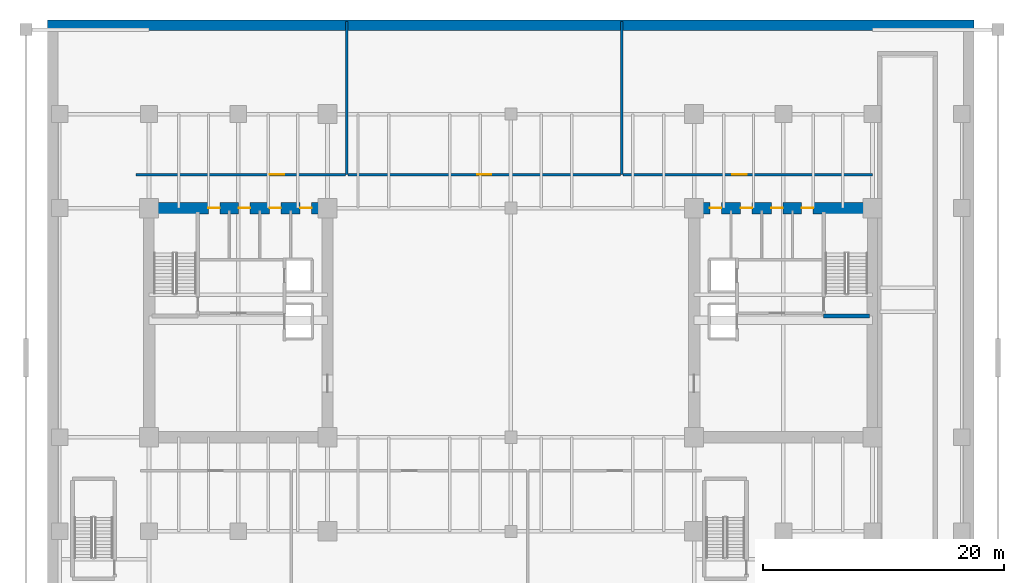
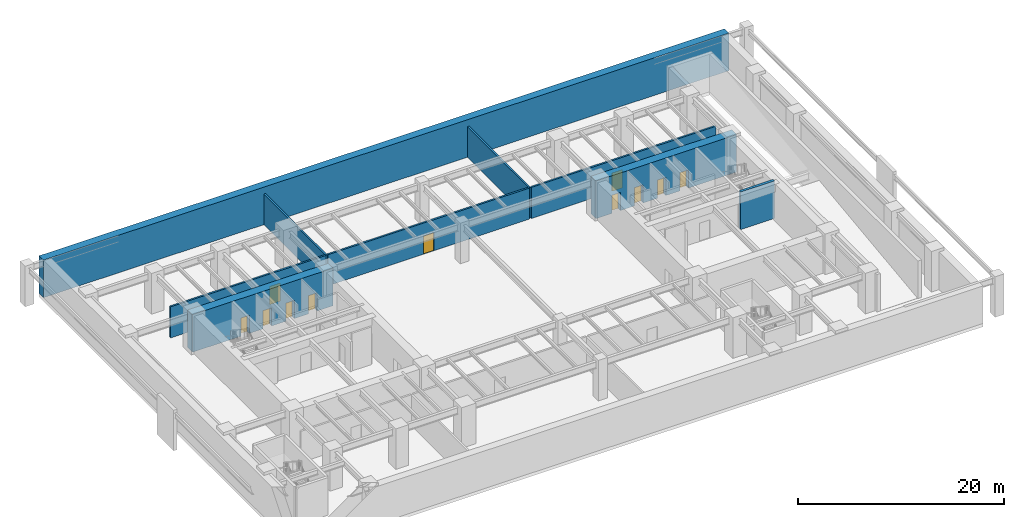
# One storey, part 4 of 7: 11 doors, 9 walls, 11 openings.
"""IFC4 building model written with IfcOpenShell, lengths in metres."""

from ifc_helpers import new_model, si_unit, direction, frame, frame_2d, origin, place, context, subcontext, project, spatial, rectangle, extrude, source, transform, mapped, material, layer, layer_set, type_object, type_shapes, element, fill, save


model = new_model("IFC4")

# Units and contexts
model_context = context("Model", 3, precision=1e-05, world=origin(), true_north=direction((0.0, 1.0)))
body_context = subcontext(model_context, "Body", "Model", "MODEL_VIEW")
ifc_project = project(units=[si_unit("LENGTHUNIT", "METRE"), si_unit("AREAUNIT", "SQUARE_METRE"), si_unit("VOLUMEUNIT", "CUBIC_METRE"), si_unit("PLANEANGLEUNIT", "RADIAN"), si_unit("MASSUNIT", "GRAM", prefix="KILO")], contexts=[model_context])

# Site, building, storey
site_placement = place(None, origin())
site = spatial("IfcSite", under=ifc_project, at=site_placement, CompositionType="ELEMENT")
building_placement = place(site_placement, origin())
building = spatial("IfcBuilding", under=site, at=building_placement, Name="Haelvirn Gate Laboratories", CompositionType="ELEMENT")
storey_placement = place(building_placement, frame((0.0, 0.0, -4.800048828125)))
storey = spatial("IfcBuildingStorey", under=building, at=storey_placement, Name="B1", CompositionType="ELEMENT", Elevation=-4.800048828125)

# Wall, opening, door
ifc_material_1 = material(Name="Concrete C40/50", Category="concrete")
ifc_layer_1 = layer(ifc_material_1, 0.199951171875, Name="IW-SHAFT-200")
ifc_layer_set_1 = layer_set([ifc_layer_1], Name="Concrete C40/50")
wall_type_1 = type_object("IfcWallType", Name="IW-SHAFT-200", PredefinedType="SOLIDWALL", material=ifc_layer_set_1)
wall_1_placement = place(storey_placement, frame((6.300048828125, 36.580078125, 0.0), z_axis=(0.0, 0.0, 1.0), x_axis=(1.0, 0.0, 0.0)))
wall_1 = element("IfcWall", 1, at=wall_1_placement, inside=storey, type_object=wall_type_1, Name="B1 Interior Wall IW-B1-PNW-1", PredefinedType="SOLIDWALL", context=body_context, shape_type="SweptSolid", body=[
    extrude(rectangle(XDim=17.39990234375, YDim=0.199951171875, at=frame_2d((8.699951171875, 0.0))), origin(), (0.0, 0.0, 1.0), 3.68505859375),
])
opening_1_placement = place(wall_1_placement, frame((11.128662109375, 0.0, 0.0)))
opening_1 = element("IfcOpeningElement", 2, at=opening_1_placement, cuts=wall_1, Name="Opening FD2", PredefinedType="OPENING", context=body_context, shape_type="SweptSolid", body=[
    extrude(rectangle(XDim=1.199951171875, YDim=2.159912109375, at=frame_2d((0.60009765625, 1.080078125))), frame((0.0, 0.10986328125, 0.0), z_axis=(0.0, -1.0, 0.0), x_axis=(1.0, 0.0, 0.0)), (0.0, 0.0, 1.0), 0.219970703125),
])
ifc_material_2 = material(Name="Fire-rated steel SM355 compartment door", Category="steel")
door_type_1 = type_object("IfcDoorType", Name="DR-FD-1200", OperationType="NOTDEFINED", PredefinedType="DOOR", material=ifc_material_2)
shared_shape_1 = source(origin(), body_context, "Body", "SweptSolid", [
    extrude(rectangle(XDim=1.199951171875, YDim=2.159912109375, at=frame_2d((0.60009765625, 1.080078125))), frame((0.0, 0.02490234375, 0.0), z_axis=(0.0, -1.0, 0.0), x_axis=(1.0, 0.0, 0.0)), (0.0, 0.0, 1.0), 0.050048828125),
])
type_shapes(door_type_1, [shared_shape_1])
door_1_placement = place(opening_1_placement, origin())
door_1 = element("IfcDoor", 3, at=door_1_placement, inside=storey, type_object=door_type_1, Name="B1 District Heating & Cooling Exchange Fire Door", OperationType="SINGLE_SWING_RIGHT", OverallHeight=2.159912109375, OverallWidth=1.199951171875, PredefinedType="DOOR", context=body_context, shape_type="MappedRepresentation", body=[
    mapped(shared_shape_1, transform((0.0, 0.0, 0.0), scale=1.0)),
])
fill(opening_1, door_1)

# Wall
wall_2_placement = place(storey_placement, frame((23.800048828125, 36.580078125, 0.0), z_axis=(0.0, 0.0, 1.0), x_axis=(0.0, 1.0, 0.0)))
element("IfcWall", 4, at=wall_2_placement, inside=storey, type_object=wall_type_1, Name="B1 Interior Wall IW-B1-PNDIV-1", PredefinedType="SOLIDWALL", context=body_context, shape_type="SweptSolid", body=[
    extrude(rectangle(XDim=12.7099609375, YDim=0.199951171875, at=frame_2d((6.35498046875, 0.0))), origin(), (0.0, 0.0, 1.0), 3.635009765625),
])

# Wall, opening, door
wall_3_placement = place(storey_placement, frame((23.89990234375, 36.580078125, 0.0), z_axis=(0.0, 0.0, 1.0), x_axis=(1.0, 0.0, 0.0)))
wall_3 = element("IfcWall", 5, at=wall_3_placement, inside=storey, type_object=wall_type_1, Name="B1 Interior Wall IW-B1-PNW-2", PredefinedType="SOLIDWALL", context=body_context, shape_type="SweptSolid", body=[
    extrude(rectangle(XDim=22.60009765625, YDim=0.199951171875, at=frame_2d((11.300048828125, 0.0))), origin(), (0.0, 0.0, 1.0), 3.68505859375),
])
opening_2_placement = place(wall_3_placement, frame((10.699951171875, 0.0, 0.0)))
opening_2 = element("IfcOpeningElement", 6, at=opening_2_placement, cuts=wall_3, Name="Opening FD2", PredefinedType="OPENING", context=body_context, shape_type="SweptSolid", body=[
    extrude(rectangle(XDim=1.199951171875, YDim=2.159912109375, at=frame_2d((0.60009765625, 1.080078125))), frame((0.0, 0.10986328125, 0.0), z_axis=(0.0, -1.0, 0.0), x_axis=(1.0, 0.0, 0.0)), (0.0, 0.0, 1.0), 0.219970703125),
])
door_2_placement = place(opening_2_placement, origin())
door_2 = element("IfcDoor", 7, at=door_2_placement, inside=storey, type_object=door_type_1, Name="B1 UPS Battery Room Fire Door", OperationType="SINGLE_SWING_LEFT", OverallHeight=2.159912109375, OverallWidth=1.199951171875, PredefinedType="DOOR", context=body_context, shape_type="MappedRepresentation", body=[
    mapped(shared_shape_1, transform((0.0, 0.0, 0.0), scale=1.0)),
])
fill(opening_2, door_2)

# Wall
wall_4_placement = place(storey_placement, frame((46.60009765625, 36.580078125, 0.0), z_axis=(0.0, 0.0, 1.0), x_axis=(0.0, 1.0, 0.0)))
element("IfcWall", 8, at=wall_4_placement, inside=storey, type_object=wall_type_1, Name="B1 Interior Wall IW-B1-PNDIV-2", PredefinedType="SOLIDWALL", context=body_context, shape_type="SweptSolid", body=[
    extrude(rectangle(XDim=12.7099609375, YDim=0.199951171875, at=frame_2d((6.35498046875, 0.0))), origin(), (0.0, 0.0, 1.0), 3.635009765625),
])

# Wall, opening, door
wall_5_placement = place(storey_placement, frame((46.699951171875, 36.580078125, 0.0), z_axis=(0.0, 0.0, 1.0), x_axis=(1.0, 0.0, 0.0)))
wall_5 = element("IfcWall", 9, at=wall_5_placement, inside=storey, type_object=wall_type_1, Name="B1 Interior Wall IW-B1-PNW-3", PredefinedType="SOLIDWALL", context=body_context, shape_type="SweptSolid", body=[
    extrude(rectangle(XDim=20.699951171875, YDim=0.199951171875, at=frame_2d((10.35009765625, 0.0))), origin(), (0.0, 0.0, 1.0), 3.68505859375),
])
opening_3_placement = place(wall_5_placement, frame((9.06884765625, 0.0, 0.0)))
opening_3 = element("IfcOpeningElement", 10, at=opening_3_placement, cuts=wall_5, Name="Opening FD2", PredefinedType="OPENING", context=body_context, shape_type="SweptSolid", body=[
    extrude(rectangle(XDim=1.199951171875, YDim=2.159912109375, at=frame_2d((0.60009765625, 1.080078125))), frame((0.0, 0.10986328125, 0.0), z_axis=(0.0, -1.0, 0.0), x_axis=(1.0, 0.0, 0.0)), (0.0, 0.0, 1.0), 0.219970703125),
])
door_3_placement = place(opening_3_placement, origin())
door_3 = element("IfcDoor", 11, at=door_3_placement, inside=storey, type_object=door_type_1, Name="B1 Campus Telecom Meet-Me Room Fire Door", OperationType="SINGLE_SWING_RIGHT", OverallHeight=2.159912109375, OverallWidth=1.199951171875, PredefinedType="DOOR", context=body_context, shape_type="MappedRepresentation", body=[
    mapped(shared_shape_1, transform((0.0, 0.0, 0.0), scale=1.0)),
])
fill(opening_3, door_3)

# Wall, openings, doors
ifc_material_3 = material(Name="Concrete C70/85", Category="concrete")
ifc_layer_2 = layer(ifc_material_3, 0.949951171875, Name="SW-CORE-950")
ifc_layer_set_2 = layer_set([ifc_layer_2], Name="Concrete C70/85")
wall_type_2 = type_object("IfcWallType", Name="SW-CORE-950", PredefinedType="SHEAR", material=ifc_layer_set_2)
wall_6_placement = place(storey_placement, frame((6.925048828125, 33.800048828125, 0.0), z_axis=(0.0, 0.0, 1.0), x_axis=(1.0, 0.0, 0.0)))
wall_6 = element("IfcWall", 12, at=wall_6_placement, inside=storey, type_object=wall_type_2, Name="B1 W Core Shear Wall N", PredefinedType="SHEAR", context=body_context, shape_type="SweptSolid", body=[
    extrude(rectangle(XDim=15.75, YDim=0.949951171875, at=frame_2d((7.875, 0.0))), origin(), (0.0, 0.0, 1.0), 4.449951171875),
])
opening_4_placement = place(wall_6_placement, frame((5.39990234375, 0.0, 0.0)))
opening_4 = element("IfcOpeningElement", 13, at=opening_4_placement, cuts=wall_6, Name="Opening FD4", PredefinedType="OPENING", context=body_context, shape_type="SweptSolid", body=[
    extrude(rectangle(XDim=0.949951171875, YDim=2.14990234375, at=frame_2d((0.47509765625, 1.074951171875))), frame((0.0, 0.48486328125, 0.0), z_axis=(0.0, -1.0, 0.0), x_axis=(1.0, 0.0, 0.0)), (0.0, 0.0, 1.0), 0.969970703125),
])
opening_5_placement = place(wall_6_placement, frame((7.9150390625, 0.0, 0.0)))
opening_5 = element("IfcOpeningElement", 14, at=opening_5_placement, cuts=wall_6, Name="Opening FD4", PredefinedType="OPENING", context=body_context, shape_type="SweptSolid", body=[
    extrude(rectangle(XDim=0.949951171875, YDim=2.14990234375, at=frame_2d((0.47509765625, 1.074951171875))), frame((0.0, 0.48486328125, 0.0), z_axis=(0.0, -1.0, 0.0), x_axis=(1.0, 0.0, 0.0)), (0.0, 0.0, 1.0), 0.969970703125),
])
opening_6_placement = place(wall_6_placement, frame((10.465087890625, 0.0, 0.0)))
opening_6 = element("IfcOpeningElement", 15, at=opening_6_placement, cuts=wall_6, Name="Opening FD4", PredefinedType="OPENING", context=body_context, shape_type="SweptSolid", body=[
    extrude(rectangle(XDim=0.949951171875, YDim=2.14990234375, at=frame_2d((0.47509765625, 1.074951171875))), frame((0.0, 0.48486328125, 0.0), z_axis=(0.0, -1.0, 0.0), x_axis=(1.0, 0.0, 0.0)), (0.0, 0.0, 1.0), 0.969970703125),
])
opening_7_placement = place(wall_6_placement, frame((13.014892578125, 0.0, 0.0)))
opening_7 = element("IfcOpeningElement", 16, at=opening_7_placement, cuts=wall_6, Name="Opening FD4", PredefinedType="OPENING", context=body_context, shape_type="SweptSolid", body=[
    extrude(rectangle(XDim=0.949951171875, YDim=2.14990234375, at=frame_2d((0.47509765625, 1.074951171875))), frame((0.0, 0.48486328125, 0.0), z_axis=(0.0, -1.0, 0.0), x_axis=(1.0, 0.0, 0.0)), (0.0, 0.0, 1.0), 0.969970703125),
])
ifc_material_4 = material(Name="Fire-rated steel SM355 core service door", Category="steel")
door_type_2 = type_object("IfcDoorType", Name="DR-FD-950", OperationType="NOTDEFINED", PredefinedType="DOOR", material=ifc_material_4)
shared_shape_2 = source(origin(), body_context, "Body", "SweptSolid", [
    extrude(rectangle(XDim=0.949951171875, YDim=2.14990234375, at=frame_2d((0.47509765625, 1.074951171875))), frame((0.0, 0.02490234375, 0.0), z_axis=(0.0, -1.0, 0.0), x_axis=(1.0, 0.0, 0.0)), (0.0, 0.0, 1.0), 0.050048828125),
])
type_shapes(door_type_2, [shared_shape_2])
door_4_placement = place(opening_4_placement, origin())
door_4 = element("IfcDoor", 17, at=door_4_placement, inside=storey, type_object=door_type_2, Name="B1 Male Restroom Fire Door", OperationType="SINGLE_SWING_LEFT", OverallHeight=2.14990234375, OverallWidth=0.949951171875, PredefinedType="DOOR", context=body_context, shape_type="MappedRepresentation", body=[
    mapped(shared_shape_2, transform((0.0, 0.0, 0.0), scale=1.0)),
])
fill(opening_4, door_4)
door_5_placement = place(opening_5_placement, origin())
door_5 = element("IfcDoor", 18, at=door_5_placement, inside=storey, type_object=door_type_2, Name="B1 Female Restroom Fire Door", OperationType="SINGLE_SWING_RIGHT", OverallHeight=2.14990234375, OverallWidth=0.949951171875, PredefinedType="DOOR", context=body_context, shape_type="MappedRepresentation", body=[
    mapped(shared_shape_2, transform((0.0, 0.0, 0.0), scale=1.0)),
])
fill(opening_5, door_5)
door_6_placement = place(opening_6_placement, origin())
door_6 = element("IfcDoor", 19, at=door_6_placement, inside=storey, type_object=door_type_2, Name="B1 Accessible Restroom Fire Door", OperationType="SINGLE_SWING_LEFT", OverallHeight=2.14990234375, OverallWidth=0.949951171875, PredefinedType="DOOR", context=body_context, shape_type="MappedRepresentation", body=[
    mapped(shared_shape_2, transform((0.0, 0.0, 0.0), scale=1.0)),
])
fill(opening_6, door_6)
door_7_placement = place(opening_7_placement, origin())
door_7 = element("IfcDoor", 20, at=door_7_placement, inside=storey, type_object=door_type_2, Name="B1 Decontamination Shower Washroom Fire Door", OperationType="SINGLE_SWING_RIGHT", OverallHeight=2.14990234375, OverallWidth=0.949951171875, PredefinedType="DOOR", context=body_context, shape_type="MappedRepresentation", body=[
    mapped(shared_shape_2, transform((0.0, 0.0, 0.0), scale=1.0)),
])
fill(opening_7, door_7)

wall_7_placement = place(storey_placement, frame((52.125, 33.800048828125, 0.0), z_axis=(0.0, 0.0, 1.0), x_axis=(1.0, 0.0, 0.0)))
wall_7 = element("IfcWall", 21, at=wall_7_placement, inside=storey, type_object=wall_type_2, Name="B1 E Core Shear Wall N", PredefinedType="SHEAR", context=body_context, shape_type="SweptSolid", body=[
    extrude(rectangle(XDim=15.75, YDim=0.949951171875, at=frame_2d((7.875, 0.0))), origin(), (0.0, 0.0, 1.0), 4.449951171875),
])
opening_8_placement = place(wall_7_placement, frame((9.39990234375, 0.0, 0.0)))
opening_8 = element("IfcOpeningElement", 22, at=opening_8_placement, cuts=wall_7, Name="Opening FD4", PredefinedType="OPENING", context=body_context, shape_type="SweptSolid", body=[
    extrude(rectangle(XDim=0.949951171875, YDim=2.14990234375, at=frame_2d((0.47509765625, 1.074951171875))), frame((0.0, 0.48486328125, 0.0), z_axis=(0.0, -1.0, 0.0), x_axis=(1.0, 0.0, 0.0)), (0.0, 0.0, 1.0), 0.969970703125),
])
opening_9_placement = place(wall_7_placement, frame((6.885009765625, 0.0, 0.0)))
opening_9 = element("IfcOpeningElement", 23, at=opening_9_placement, cuts=wall_7, Name="Opening FD4", PredefinedType="OPENING", context=body_context, shape_type="SweptSolid", body=[
    extrude(rectangle(XDim=0.949951171875, YDim=2.14990234375, at=frame_2d((0.47509765625, 1.074951171875))), frame((0.0, 0.48486328125, 0.0), z_axis=(0.0, -1.0, 0.0), x_axis=(1.0, 0.0, 0.0)), (0.0, 0.0, 1.0), 0.969970703125),
])
opening_10_placement = place(wall_7_placement, frame((4.3349609375, 0.0, 0.0)))
opening_10 = element("IfcOpeningElement", 24, at=opening_10_placement, cuts=wall_7, Name="Opening FD4", PredefinedType="OPENING", context=body_context, shape_type="SweptSolid", body=[
    extrude(rectangle(XDim=0.949951171875, YDim=2.14990234375, at=frame_2d((0.47509765625, 1.074951171875))), frame((0.0, 0.48486328125, 0.0), z_axis=(0.0, -1.0, 0.0), x_axis=(1.0, 0.0, 0.0)), (0.0, 0.0, 1.0), 0.969970703125),
])
opening_11_placement = place(wall_7_placement, frame((1.784912109375, 0.0, 0.0)))
opening_11 = element("IfcOpeningElement", 25, at=opening_11_placement, cuts=wall_7, Name="Opening FD4", PredefinedType="OPENING", context=body_context, shape_type="SweptSolid", body=[
    extrude(rectangle(XDim=0.949951171875, YDim=2.14990234375, at=frame_2d((0.47509765625, 1.074951171875))), frame((0.0, 0.48486328125, 0.0), z_axis=(0.0, -1.0, 0.0), x_axis=(1.0, 0.0, 0.0)), (0.0, 0.0, 1.0), 0.969970703125),
])
door_8_placement = place(opening_8_placement, origin())
door_8 = element("IfcDoor", 26, at=door_8_placement, inside=storey, type_object=door_type_2, Name="B1 Male Restroom Fire Door", OperationType="SINGLE_SWING_LEFT", OverallHeight=2.14990234375, OverallWidth=0.949951171875, PredefinedType="DOOR", context=body_context, shape_type="MappedRepresentation", body=[
    mapped(shared_shape_2, transform((0.0, 0.0, 0.0), scale=1.0)),
])
fill(opening_8, door_8)
door_9_placement = place(opening_9_placement, origin())
door_9 = element("IfcDoor", 27, at=door_9_placement, inside=storey, type_object=door_type_2, Name="B1 Female Restroom Fire Door", OperationType="SINGLE_SWING_RIGHT", OverallHeight=2.14990234375, OverallWidth=0.949951171875, PredefinedType="DOOR", context=body_context, shape_type="MappedRepresentation", body=[
    mapped(shared_shape_2, transform((0.0, 0.0, 0.0), scale=1.0)),
])
fill(opening_9, door_9)
door_10_placement = place(opening_10_placement, origin())
door_10 = element("IfcDoor", 28, at=door_10_placement, inside=storey, type_object=door_type_2, Name="B1 Accessible Restroom Fire Door", OperationType="SINGLE_SWING_LEFT", OverallHeight=2.14990234375, OverallWidth=0.949951171875, PredefinedType="DOOR", context=body_context, shape_type="MappedRepresentation", body=[
    mapped(shared_shape_2, transform((0.0, 0.0, 0.0), scale=1.0)),
])
fill(opening_10, door_10)
door_11_placement = place(opening_11_placement, origin())
door_11 = element("IfcDoor", 29, at=door_11_placement, inside=storey, type_object=door_type_2, Name="B1 Decontamination Shower Washroom Fire Door", OperationType="SINGLE_SWING_RIGHT", OverallHeight=2.14990234375, OverallWidth=0.949951171875, PredefinedType="DOOR", context=body_context, shape_type="MappedRepresentation", body=[
    mapped(shared_shape_2, transform((0.0, 0.0, 0.0), scale=1.0)),
])
fill(opening_11, door_11)

# Walls
ifc_material_5 = material(Name="Concrete C50/60", Category="concrete")
ifc_layer_3 = layer(ifc_material_5, 0.85009765625, Name="SW-RET-850")
ifc_layer_set_3 = layer_set([ifc_layer_3], Name="Concrete C50/60")
wall_type_3 = type_object("IfcWallType", Name="SW-RET-850", PredefinedType="SOLIDWALL", material=ifc_layer_set_3)
wall_8_placement = place(storey_placement, frame((-1.0, 48.97509765625, 0.0), z_axis=(0.0, 0.0, 1.0), x_axis=(1.0, 0.0, 0.0)))
element("IfcWall", 30, at=wall_8_placement, inside=storey, type_object=wall_type_3, Name="B1 Perimeter Diaphragm Wall N", PredefinedType="SOLIDWALL", context=body_context, shape_type="SweptSolid", body=[
    extrude(rectangle(XDim=76.800048828125, YDim=0.85009765625, at=frame_2d((38.39990234375, 0.0))), origin(), (0.0, 0.0, 1.0), 4.449951171875),
])
ifc_layer_4 = layer(ifc_material_5, 0.300048828125, Name="SW-STAIR-300")
ifc_layer_set_4 = layer_set([ifc_layer_4], Name="Concrete C50/60")
wall_type_4 = type_object("IfcWallType", Name="SW-STAIR-300", PredefinedType="SHEAR", material=ifc_layer_set_4)
wall_9_placement = place(storey_placement, frame((63.35009765625, 24.85009765625, 0.0), z_axis=(0.0, 0.0, 1.0), x_axis=(1.0, 0.0, 0.0)))
element("IfcWall", 31, at=wall_9_placement, inside=storey, type_object=wall_type_4, Name="B1 E Core Stair Shaft Structural Wall S", PredefinedType="SHEAR", context=body_context, shape_type="SweptSolid", body=[
    extrude(rectangle(XDim=3.7998046875, YDim=0.300048828125, at=frame_2d((1.89990234375, 0.0))), origin(), (0.0, 0.0, 1.0), 4.449951171875),
])

save(model, "model.ifc")
